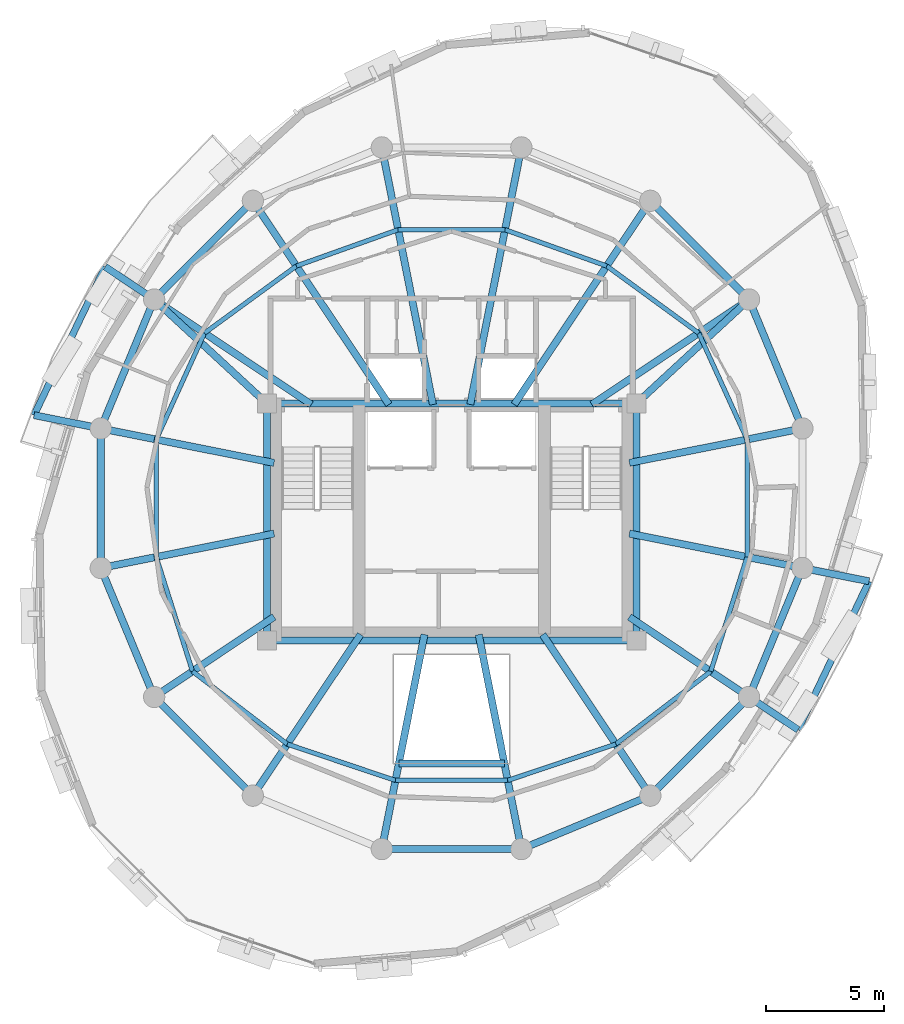
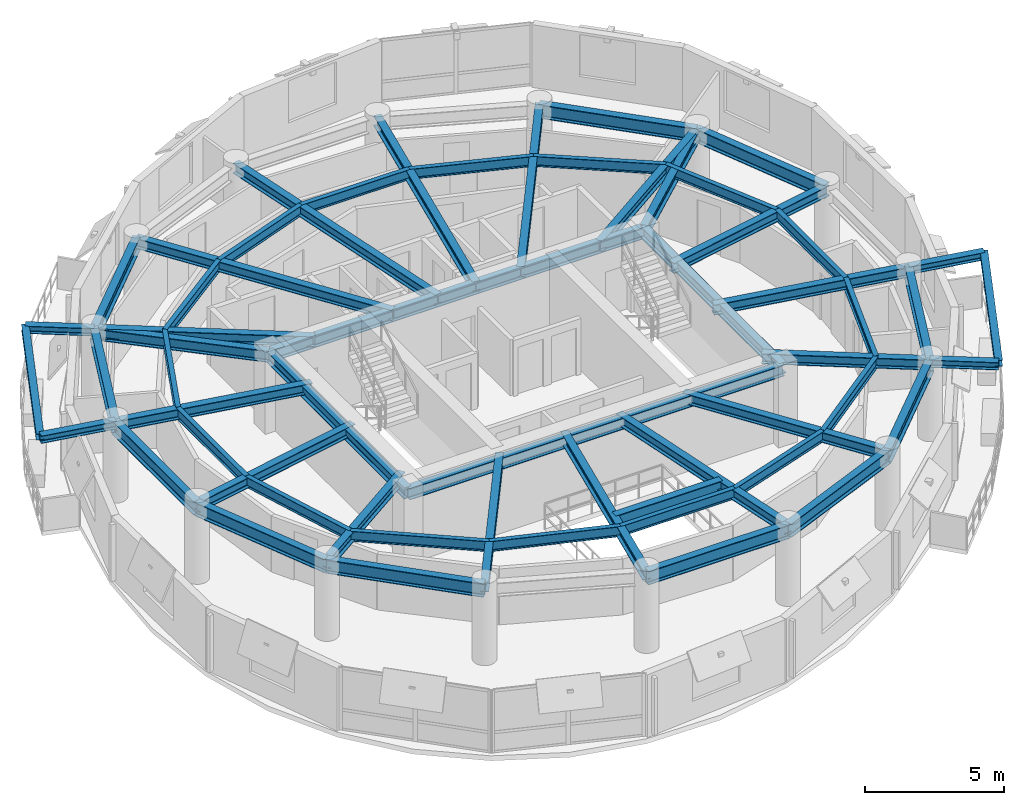
# One storey, part 3 of 11: 56 beams.
"""IFC4 building model written with IfcOpenShell, lengths in metres."""

from ifc_helpers import new_model, si_unit, direction, frame, origin, origin_2d, place, context, subcontext, project, spatial, i_section, extrude, material, material_profile, profile_set, type_object, element, save


model = new_model("IFC4")

# Units and contexts
model_context = context("Model", 3, precision=1e-05, world=origin(), true_north=direction((0.0, 1.0)))
body_context = subcontext(model_context, "Body", "Model", "MODEL_VIEW")
ifc_project = project(units=[si_unit("LENGTHUNIT", "METRE"), si_unit("AREAUNIT", "SQUARE_METRE"), si_unit("VOLUMEUNIT", "CUBIC_METRE"), si_unit("PLANEANGLEUNIT", "RADIAN"), si_unit("MASSUNIT", "GRAM", prefix="KILO"), si_unit("THERMODYNAMICTEMPERATUREUNIT", "KELVIN"), si_unit("POWERUNIT", "WATT")], contexts=[model_context])

# Site, building, storey
site_placement = place(None, origin())
site = spatial("IfcSite", under=ifc_project, at=site_placement, CompositionType="ELEMENT")
building_placement = place(site_placement, origin())
building = spatial("IfcBuilding", under=site, at=building_placement, Name="Ocrelia Relay Tower", CompositionType="ELEMENT")
storey_placement = place(building_placement, frame((0.0, 0.0, 270.0)))
storey = spatial("IfcBuildingStorey", under=building, at=storey_placement, Name="L67", CompositionType="ELEMENT", Elevation=270.0)

# Beams
ifc_material = material(Name="Steel S355", Category="steel")
ifc_material_profile_1 = material_profile(ifc_material, i_section(OverallWidth=0.280029296875, OverallDepth=0.27001953125, WebThickness=0.008056640625, FlangeThickness=0.012939453125, FilletRadius=0.02392578125, at=origin_2d()), Name="HEA 280")
ifc_profile_set_1 = profile_set([ifc_material_profile_1], Name="Steel S355")
beam_type_1 = type_object("IfcBeamType", Name="BM-HEA280", PredefinedType="BEAM", material=ifc_profile_set_1)
for number, where, z_axis, x_axis, name in (
    (1, (19.376708984375, 35.77099609375, 3.2451171875), (-0.432080881598, -0.901834858362, 0.0), (0.901834858362, -0.432080881598, 0.0), "L68 Balcony Edge Trimmer Beam B1"),
    (2, (48.623291015625, 16.22900390625, 3.2451171875), (0.432052299083, 0.901848552063, 0.0), (-0.901848552063, 0.432052299083, 0.0), "L68 Balcony Edge Trimmer Beam B2"),
):
    element("IfcBeam", number, at=place(storey_placement, frame(where, z_axis=z_axis, x_axis=x_axis)), inside=storey, type_object=beam_type_1, Name=name, PredefinedType="BEAM", context=body_context, shape_type="SweptSolid", body=[
        extrude(i_section(OverallWidth=0.280029296875, OverallDepth=0.27001953125, WebThickness=0.008056640625, FlangeThickness=0.012939453125, FilletRadius=0.02392578125, at=origin_2d()), origin(), (0.0, 0.0, 1.0), 6.947021484375),
    ])
ifc_material_profile_2 = material_profile(ifc_material, i_section(OverallWidth=0.300048828125, OverallDepth=0.330078125, WebThickness=0.009521484375, FlangeThickness=0.0166015625, FilletRadius=0.027099609375, at=origin_2d()), Name="HEA 340")
ifc_profile_set_2 = profile_set([ifc_material_profile_2], Name="Steel S355")
beam_type_2 = type_object("IfcBeamType", Name="BM-HEA340", PredefinedType="BEAM", material=ifc_profile_set_2)
beam_1_placement = place(storey_placement, frame((21.44482421875, 34.38916015625, 3.215087890625), z_axis=(-0.83147601643, 0.555560648447, 0.0), x_axis=(-0.555560648447, -0.83147601643, 0.0)))
element("IfcBeam", 3, at=beam_1_placement, inside=storey, type_object=beam_type_2, Name="L68 Balcony Cantilever Beam B1-1", PredefinedType="BEAM", context=body_context, shape_type="SweptSolid", body=[
    extrude(i_section(OverallWidth=0.300048828125, OverallDepth=0.330078125, WebThickness=0.009521484375, FlangeThickness=0.0166015625, FilletRadius=0.027099609375, at=origin_2d()), origin(), (0.0, 0.0, 1.0), 2.4873046875),
])
beam_2_placement = place(storey_placement, frame((19.190185546875, 28.94580078125, 3.215087890625), z_axis=(-0.980779722314, 0.195118262335, 0.0), x_axis=(-0.195118262335, -0.980779722314, 0.0)))
element("IfcBeam", 4, at=beam_2_placement, inside=storey, type_object=beam_type_2, Name="L68 Balcony Cantilever Beam B1-2", PredefinedType="BEAM", context=body_context, shape_type="SweptSolid", body=[
    extrude(i_section(OverallWidth=0.300048828125, OverallDepth=0.330078125, WebThickness=0.009521484375, FlangeThickness=0.0166015625, FilletRadius=0.027099609375, at=origin_2d()), origin(), (0.0, 0.0, 1.0), 2.870361328125),
])
beam_3_placement = place(storey_placement, frame((46.55517578125, 17.61083984375, 3.215087890625), z_axis=(0.83147601643, -0.555560648447, 0.0), x_axis=(0.555560648447, 0.83147601643, 0.0)))
element("IfcBeam", 5, at=beam_3_placement, inside=storey, type_object=beam_type_2, Name="L68 Balcony Cantilever Beam B2-1", PredefinedType="BEAM", context=body_context, shape_type="SweptSolid", body=[
    extrude(i_section(OverallWidth=0.300048828125, OverallDepth=0.330078125, WebThickness=0.009521484375, FlangeThickness=0.0166015625, FilletRadius=0.027099609375, at=origin_2d()), origin(), (0.0, 0.0, 1.0), 2.4873046875),
])
beam_4_placement = place(storey_placement, frame((48.809814453125, 23.05419921875, 3.215087890625), z_axis=(0.980776483734, -0.195134540649, 0.0), x_axis=(0.195134540649, 0.980776483734, 0.0)))
element("IfcBeam", 6, at=beam_4_placement, inside=storey, type_object=beam_type_2, Name="L68 Balcony Cantilever Beam B2-2", PredefinedType="BEAM", context=body_context, shape_type="SweptSolid", body=[
    extrude(i_section(OverallWidth=0.300048828125, OverallDepth=0.330078125, WebThickness=0.009521484375, FlangeThickness=0.0166015625, FilletRadius=0.027099609375, at=origin_2d()), origin(), (0.0, 0.0, 1.0), 2.8701171875),
])
ifc_material_profile_3 = material_profile(ifc_material, i_section(OverallWidth=0.300048828125, OverallDepth=0.449951171875, WebThickness=0.013916015625, FlangeThickness=0.02587890625, FilletRadius=0.027099609375, at=origin_2d()), Name="HEB 450")
ifc_profile_set_3 = profile_set([ifc_material_profile_3], Name="Steel S355")
beam_type_3 = type_object("IfcBeamType", Name="BM-HEB450", PredefinedType="BEAM", material=ifc_profile_set_3)
beam_5_placement = place(storey_placement, frame((48.809814453125, 28.94580078125, 3.155029296875), z_axis=(-0.980789400571, -0.195069607393, 0.0), x_axis=(0.195069607393, -0.980789400571, 0.0)))
element("IfcBeam", 7, at=beam_5_placement, inside=storey, type_object=beam_type_3, Name="L67 Radial Floor Girder R01", PredefinedType="BEAM", context=body_context, shape_type="SweptSolid", body=[
    extrude(i_section(OverallWidth=0.300048828125, OverallDepth=0.449951171875, WebThickness=0.013916015625, FlangeThickness=0.02587890625, FilletRadius=0.027099609375, at=origin_2d()), origin(), (0.0, 0.0, 1.0), 7.447998046875),
])
beam_6_placement = place(storey_placement, frame((46.55517578125, 34.38916015625, 3.155029296875), z_axis=(-0.83146627118, -0.555575233331, 0.0), x_axis=(0.555575233331, -0.83146627118, 0.0)))
element("IfcBeam", 8, at=beam_6_placement, inside=storey, type_object=beam_type_3, Name="L67 Radial Floor Girder R02", PredefinedType="BEAM", context=body_context, shape_type="SweptSolid", body=[
    extrude(i_section(OverallWidth=0.300048828125, OverallDepth=0.449951171875, WebThickness=0.013916015625, FlangeThickness=0.02587890625, FilletRadius=0.027099609375, at=origin_2d()), origin(), (0.0, 0.0, 1.0), 7.98095703125),
])
beam_7_placement = place(storey_placement, frame((42.38916015625, 38.55517578125, 3.155029296875), z_axis=(-0.555582296999, -0.831461551283, 0.0), x_axis=(0.831461551283, -0.555582296999, 0.0)))
element("IfcBeam", 9, at=beam_7_placement, inside=storey, type_object=beam_type_3, Name="L67 Radial Floor Girder R03", PredefinedType="BEAM", context=body_context, shape_type="SweptSolid", body=[
    extrude(i_section(OverallWidth=0.300048828125, OverallDepth=0.449951171875, WebThickness=0.013916015625, FlangeThickness=0.02587890625, FilletRadius=0.027099609375, at=origin_2d()), origin(), (0.0, 0.0, 1.0), 10.34326171875),
])
for number, where, z_axis, x_axis, name in (
    (10, (36.94580078125, 40.809814453125, 3.155029296875), (-0.195093658495, -0.98078461673, 0.0), (0.98078461673, -0.195093658495, 0.0), "L67 Radial Floor Girder R04"),
    (11, (31.05419921875, 40.809814453125, 3.155029296875), (0.195093658495, -0.98078461673, 0.0), (0.98078461673, 0.195093658495, 0.0), "L67 Radial Floor Girder R05"),
):
    element("IfcBeam", number, at=place(storey_placement, frame(where, z_axis=z_axis, x_axis=x_axis)), inside=storey, type_object=beam_type_3, Name=name, PredefinedType="BEAM", context=body_context, shape_type="SweptSolid", body=[
        extrude(i_section(OverallWidth=0.300048828125, OverallDepth=0.449951171875, WebThickness=0.013916015625, FlangeThickness=0.02587890625, FilletRadius=0.027099609375, at=origin_2d()), origin(), (0.0, 0.0, 1.0), 11.0673828125),
    ])
beam_8_placement = place(storey_placement, frame((25.61083984375, 38.55517578125, 3.155029296875), z_axis=(0.555582296999, -0.831461551283, 0.0), x_axis=(0.831461551283, 0.555582296999, 0.0)))
element("IfcBeam", 12, at=beam_8_placement, inside=storey, type_object=beam_type_3, Name="L67 Radial Floor Girder R06", PredefinedType="BEAM", context=body_context, shape_type="SweptSolid", body=[
    extrude(i_section(OverallWidth=0.300048828125, OverallDepth=0.449951171875, WebThickness=0.013916015625, FlangeThickness=0.02587890625, FilletRadius=0.027099609375, at=origin_2d()), origin(), (0.0, 0.0, 1.0), 10.34326171875),
])
beam_9_placement = place(storey_placement, frame((21.44482421875, 34.38916015625, 3.155029296875), z_axis=(0.83146627118, -0.555575233331, 0.0), x_axis=(0.555575233331, 0.83146627118, 0.0)))
element("IfcBeam", 13, at=beam_9_placement, inside=storey, type_object=beam_type_3, Name="L67 Radial Floor Girder R07", PredefinedType="BEAM", context=body_context, shape_type="SweptSolid", body=[
    extrude(i_section(OverallWidth=0.300048828125, OverallDepth=0.449951171875, WebThickness=0.013916015625, FlangeThickness=0.02587890625, FilletRadius=0.027099609375, at=origin_2d()), origin(), (0.0, 0.0, 1.0), 7.98095703125),
])
for number, where, z_axis, x_axis, name in (
    (14, (19.190185546875, 28.94580078125, 3.155029296875), (0.980789122594, -0.195071005024, 0.0), (0.195071005024, 0.980789122594, 0.0), "L67 Radial Floor Girder R08"),
    (15, (19.190185546875, 23.05419921875, 3.155029296875), (0.980789122594, 0.195071005024, 0.0), (-0.195071005024, 0.980789122594, 0.0), "L67 Radial Floor Girder R09"),
):
    element("IfcBeam", number, at=place(storey_placement, frame(where, z_axis=z_axis, x_axis=x_axis)), inside=storey, type_object=beam_type_3, Name=name, PredefinedType="BEAM", context=body_context, shape_type="SweptSolid", body=[
        extrude(i_section(OverallWidth=0.300048828125, OverallDepth=0.449951171875, WebThickness=0.013916015625, FlangeThickness=0.02587890625, FilletRadius=0.027099609375, at=origin_2d()), origin(), (0.0, 0.0, 1.0), 7.4580078125),
    ])
beam_10_placement = place(storey_placement, frame((21.44482421875, 17.61083984375, 3.155029296875), z_axis=(0.831463505153, 0.555579372906, 0.0), x_axis=(-0.555579372906, 0.831463505153, 0.0)))
element("IfcBeam", 16, at=beam_10_placement, inside=storey, type_object=beam_type_3, Name="L67 Radial Floor Girder R10", PredefinedType="BEAM", context=body_context, shape_type="SweptSolid", body=[
    extrude(i_section(OverallWidth=0.300048828125, OverallDepth=0.449951171875, WebThickness=0.013916015625, FlangeThickness=0.02587890625, FilletRadius=0.027099609375, at=origin_2d()), origin(), (0.0, 0.0, 1.0), 6.085693359375),
])
beam_11_placement = place(storey_placement, frame((25.61083984375, 13.44482421875, 3.155029296875), z_axis=(0.555560991962, 0.831475786906, 0.0), x_axis=(-0.831475786906, 0.555560991962, 0.0)))
element("IfcBeam", 17, at=beam_11_placement, inside=storey, type_object=beam_type_3, Name="L67 Radial Floor Girder R11", PredefinedType="BEAM", context=body_context, shape_type="SweptSolid", body=[
    extrude(i_section(OverallWidth=0.300048828125, OverallDepth=0.449951171875, WebThickness=0.013916015625, FlangeThickness=0.02587890625, FilletRadius=0.027099609375, at=origin_2d()), origin(), (0.0, 0.0, 1.0), 8.178466796875),
])
for number, where, z_axis, x_axis, name in (
    (18, (31.05419921875, 11.190185546875, 3.155029296875), (0.195078600472, 0.98078761189, 0.0), (-0.98078761189, 0.195078600472, 0.0), "L67 Radial Floor Girder R12"),
    (19, (36.94580078125, 11.190185546875, 3.155029296875), (-0.195078600472, 0.98078761189, 0.0), (-0.98078761189, -0.195078600472, 0.0), "L67 Radial Floor Girder R13"),
):
    element("IfcBeam", number, at=place(storey_placement, frame(where, z_axis=z_axis, x_axis=x_axis)), inside=storey, type_object=beam_type_3, Name=name, PredefinedType="BEAM", context=body_context, shape_type="SweptSolid", body=[
        extrude(i_section(OverallWidth=0.300048828125, OverallDepth=0.449951171875, WebThickness=0.013916015625, FlangeThickness=0.02587890625, FilletRadius=0.027099609375, at=origin_2d()), origin(), (0.0, 0.0, 1.0), 9.232421875),
    ])
beam_12_placement = place(storey_placement, frame((42.38916015625, 13.44482421875, 3.155029296875), z_axis=(-0.555560991962, 0.831475786906, 0.0), x_axis=(-0.831475786906, -0.555560991962, 0.0)))
element("IfcBeam", 20, at=beam_12_placement, inside=storey, type_object=beam_type_3, Name="L67 Radial Floor Girder R14", PredefinedType="BEAM", context=body_context, shape_type="SweptSolid", body=[
    extrude(i_section(OverallWidth=0.300048828125, OverallDepth=0.449951171875, WebThickness=0.013916015625, FlangeThickness=0.02587890625, FilletRadius=0.027099609375, at=origin_2d()), origin(), (0.0, 0.0, 1.0), 8.178466796875),
])
beam_13_placement = place(storey_placement, frame((46.55517578125, 17.61083984375, 3.155029296875), z_axis=(-0.831468559595, 0.555571808504, 0.0), x_axis=(-0.555571808504, -0.831468559595, 0.0)))
element("IfcBeam", 21, at=beam_13_placement, inside=storey, type_object=beam_type_3, Name="L67 Radial Floor Girder R15", PredefinedType="BEAM", context=body_context, shape_type="SweptSolid", body=[
    extrude(i_section(OverallWidth=0.300048828125, OverallDepth=0.449951171875, WebThickness=0.013916015625, FlangeThickness=0.02587890625, FilletRadius=0.027099609375, at=origin_2d()), origin(), (0.0, 0.0, 1.0), 6.073974609375),
])
beam_14_placement = place(storey_placement, frame((48.809814453125, 23.05419921875, 3.155029296875), z_axis=(-0.980789400571, 0.195069607393, 0.0), x_axis=(-0.195069607393, -0.980789400571, 0.0)))
element("IfcBeam", 22, at=beam_14_placement, inside=storey, type_object=beam_type_3, Name="L67 Radial Floor Girder R16", PredefinedType="BEAM", context=body_context, shape_type="SweptSolid", body=[
    extrude(i_section(OverallWidth=0.300048828125, OverallDepth=0.449951171875, WebThickness=0.013916015625, FlangeThickness=0.02587890625, FilletRadius=0.027099609375, at=origin_2d()), origin(), (0.0, 0.0, 1.0), 7.447998046875),
])
ifc_material_profile_4 = material_profile(ifc_material, i_section(OverallWidth=0.300048828125, OverallDepth=0.5, WebThickness=0.014404296875, FlangeThickness=0.028076171875, FilletRadius=0.027099609375, at=origin_2d()), Name="HEB 500")
ifc_profile_set_4 = profile_set([ifc_material_profile_4], Name="Steel S355")
beam_type_4 = type_object("IfcBeamType", Name="BM-HEB500", PredefinedType="BEAM", material=ifc_profile_set_4)
for number, where, z_axis, x_axis, name in (
    (23, (26.199951171875, 20.0, 3.1298828125), (1.0, 0.0, 0.0), (0.0, 1.0, 0.0), "L67 Core Pilaster Tie Beam S"),
    (24, (26.199951171875, 30.0, 3.1298828125), (1.0, 0.0, 0.0), (0.0, 1.0, 0.0), "L67 Core Pilaster Tie Beam N"),
):
    element("IfcBeam", number, at=place(storey_placement, frame(where, z_axis=z_axis, x_axis=x_axis)), inside=storey, type_object=beam_type_4, Name=name, PredefinedType="BEAM", context=body_context, shape_type="SweptSolid", body=[
        extrude(i_section(OverallWidth=0.300048828125, OverallDepth=0.5, WebThickness=0.014404296875, FlangeThickness=0.028076171875, FilletRadius=0.027099609375, at=origin_2d()), origin(), (0.0, 0.0, 1.0), 15.60009765625),
    ])
for number, where, z_axis, x_axis, name in (
    (25, (26.199951171875, 20.0, 3.1298828125), (0.0, 1.0, 0.0), (-1.0, 0.0, 0.0), "L67 Core Pilaster Tie Beam W"),
    (26, (41.800048828125, 20.0, 3.1298828125), (0.0, 1.0, 0.0), (-1.0, 0.0, 0.0), "L67 Core Pilaster Tie Beam E"),
):
    element("IfcBeam", number, at=place(storey_placement, frame(where, z_axis=z_axis, x_axis=x_axis)), inside=storey, type_object=beam_type_4, Name=name, PredefinedType="BEAM", context=body_context, shape_type="SweptSolid", body=[
        extrude(i_section(OverallWidth=0.300048828125, OverallDepth=0.5, WebThickness=0.014404296875, FlangeThickness=0.028076171875, FilletRadius=0.027099609375, at=origin_2d()), origin(), (0.0, 0.0, 1.0), 10.0),
    ])
for number, where, z_axis, x_axis, name in (
    (27, (46.55517578125, 34.38916015625, 3.1298828125), (-0.734817908666, -0.678264433023, 0.0), (0.678264433023, -0.734817908666, 0.0), "L67 Core Pilaster Frame Tie Beam PT02"),
    (28, (21.44482421875, 34.38916015625, 3.1298828125), (0.734817908666, -0.678264433023, 0.0), (0.678264433023, 0.734817908666, 0.0), "L67 Core Pilaster Frame Tie Beam PT07"),
):
    element("IfcBeam", number, at=place(storey_placement, frame(where, z_axis=z_axis, x_axis=x_axis)), inside=storey, type_object=beam_type_4, Name=name, PredefinedType="BEAM", context=body_context, shape_type="SweptSolid", body=[
        extrude(i_section(OverallWidth=0.300048828125, OverallDepth=0.5, WebThickness=0.014404296875, FlangeThickness=0.028076171875, FilletRadius=0.027099609375, at=origin_2d()), origin(), (0.0, 0.0, 1.0), 6.47119140625),
    ])
ifc_material_profile_5 = material_profile(ifc_material, i_section(OverallWidth=0.300048828125, OverallDepth=0.550048828125, WebThickness=0.014892578125, FlangeThickness=0.029052734375, FilletRadius=0.027099609375, at=origin_2d()), Name="HEB 550")
ifc_profile_set_5 = profile_set([ifc_material_profile_5], Name="Steel S355")
beam_type_5 = type_object("IfcBeamType", Name="BM-HEB550", PredefinedType="BEAM", material=ifc_profile_set_5)
beam_15_placement = place(storey_placement, frame((31.772216796875, 14.800048828125, 3.10498046875), z_axis=(1.0, 0.0, 0.0), x_axis=(0.0, 1.0, 0.0)))
element("IfcBeam", 29, at=beam_15_placement, inside=storey, type_object=beam_type_5, Name="L67 Atrium South Trimmer Beam", PredefinedType="BEAM", context=body_context, shape_type="SweptSolid", body=[
    extrude(i_section(OverallWidth=0.300048828125, OverallDepth=0.550048828125, WebThickness=0.014892578125, FlangeThickness=0.029052734375, FilletRadius=0.027099609375, at=origin_2d()), origin(), (0.0, 0.0, 1.0), 4.45556640625),
])
ifc_material_profile_6 = material_profile(ifc_material, i_section(OverallWidth=0.300048828125, OverallDepth=0.60009765625, WebThickness=0.015380859375, FlangeThickness=0.030029296875, FilletRadius=0.027099609375, at=origin_2d()), Name="HEB 600")
ifc_profile_set_6 = profile_set([ifc_material_profile_6], Name="Steel S355")
beam_type_6 = type_object("IfcBeamType", Name="BM-HEB600", PredefinedType="BEAM", material=ifc_profile_set_6)
beam_16_placement = place(storey_placement, frame((48.809814453125, 28.94580078125, 3.080078125), z_axis=(-0.382672624084, 0.923884009374, 0.0), x_axis=(-0.923884009374, -0.382672624084, 0.0)))
element("IfcBeam", 30, at=beam_16_placement, inside=storey, type_object=beam_type_6, Name="L67 Perimeter Spandrel Beam S01", PredefinedType="BEAM", context=body_context, shape_type="SweptSolid", body=[
    extrude(i_section(OverallWidth=0.300048828125, OverallDepth=0.60009765625, WebThickness=0.015380859375, FlangeThickness=0.030029296875, FilletRadius=0.027099609375, at=origin_2d()), origin(), (0.0, 0.0, 1.0), 5.891845703125),
])
for number, where, z_axis, x_axis, name in (
    (31, (46.55517578125, 34.38916015625, 3.080078125), (-0.707106781187, 0.707106781187, 0.0), (-0.707106781187, -0.707106781187, 0.0), "L67 Perimeter Spandrel Beam S02"),
    (32, (25.61083984375, 38.55517578125, 3.080078125), (-0.707106781187, -0.707106781187, 0.0), (0.707106781187, -0.707106781187, 0.0), "L67 Perimeter Spandrel Beam S06"),
):
    element("IfcBeam", number, at=place(storey_placement, frame(where, z_axis=z_axis, x_axis=x_axis)), inside=storey, type_object=beam_type_6, Name=name, PredefinedType="BEAM", context=body_context, shape_type="SweptSolid", body=[
        extrude(i_section(OverallWidth=0.300048828125, OverallDepth=0.60009765625, WebThickness=0.015380859375, FlangeThickness=0.030029296875, FilletRadius=0.027099609375, at=origin_2d()), origin(), (0.0, 0.0, 1.0), 5.8916015625),
    ])
beam_17_placement = place(storey_placement, frame((21.44482421875, 34.38916015625, 3.080078125), z_axis=(-0.382672624084, -0.923884009374, 0.0), x_axis=(0.923884009374, -0.382672624084, 0.0)))
element("IfcBeam", 33, at=beam_17_placement, inside=storey, type_object=beam_type_6, Name="L67 Perimeter Spandrel Beam S07", PredefinedType="BEAM", context=body_context, shape_type="SweptSolid", body=[
    extrude(i_section(OverallWidth=0.300048828125, OverallDepth=0.60009765625, WebThickness=0.015380859375, FlangeThickness=0.030029296875, FilletRadius=0.027099609375, at=origin_2d()), origin(), (0.0, 0.0, 1.0), 5.891845703125),
])
beam_18_placement = place(storey_placement, frame((19.190185546875, 28.94580078125, 3.080078125), z_axis=(0.0, -1.0, 0.0), x_axis=(1.0, 0.0, 0.0)))
element("IfcBeam", 34, at=beam_18_placement, inside=storey, type_object=beam_type_6, Name="L67 Perimeter Spandrel Beam S08", PredefinedType="BEAM", context=body_context, shape_type="SweptSolid", body=[
    extrude(i_section(OverallWidth=0.300048828125, OverallDepth=0.60009765625, WebThickness=0.015380859375, FlangeThickness=0.030029296875, FilletRadius=0.027099609375, at=origin_2d()), origin(), (0.0, 0.0, 1.0), 5.8916015625),
])
beam_19_placement = place(storey_placement, frame((19.190185546875, 23.05419921875, 3.080078125), z_axis=(0.382672624084, -0.923884009374, 0.0), x_axis=(0.923884009374, 0.382672624084, 0.0)))
element("IfcBeam", 35, at=beam_19_placement, inside=storey, type_object=beam_type_6, Name="L67 Perimeter Spandrel Beam S09", PredefinedType="BEAM", context=body_context, shape_type="SweptSolid", body=[
    extrude(i_section(OverallWidth=0.300048828125, OverallDepth=0.60009765625, WebThickness=0.015380859375, FlangeThickness=0.030029296875, FilletRadius=0.027099609375, at=origin_2d()), origin(), (0.0, 0.0, 1.0), 5.891845703125),
])
for number, where, z_axis, x_axis, name in (
    (36, (21.44482421875, 17.61083984375, 3.080078125), (0.707106781187, -0.707106781187, 0.0), (0.707106781187, 0.707106781187, 0.0), "L67 Perimeter Spandrel Beam S10"),
    (37, (31.05419921875, 11.190185546875, 3.080078125), (1.0, 0.0, 0.0), (0.0, 1.0, 0.0), "L67 Perimeter Spandrel Beam S12"),
):
    element("IfcBeam", number, at=place(storey_placement, frame(where, z_axis=z_axis, x_axis=x_axis)), inside=storey, type_object=beam_type_6, Name=name, PredefinedType="BEAM", context=body_context, shape_type="SweptSolid", body=[
        extrude(i_section(OverallWidth=0.300048828125, OverallDepth=0.60009765625, WebThickness=0.015380859375, FlangeThickness=0.030029296875, FilletRadius=0.027099609375, at=origin_2d()), origin(), (0.0, 0.0, 1.0), 5.8916015625),
    ])
beam_20_placement = place(storey_placement, frame((36.94580078125, 11.190185546875, 3.080078125), z_axis=(0.923884009374, 0.382672624084, 0.0), x_axis=(-0.382672624084, 0.923884009374, 0.0)))
element("IfcBeam", 38, at=beam_20_placement, inside=storey, type_object=beam_type_6, Name="L67 Perimeter Spandrel Beam S13", PredefinedType="BEAM", context=body_context, shape_type="SweptSolid", body=[
    extrude(i_section(OverallWidth=0.300048828125, OverallDepth=0.60009765625, WebThickness=0.015380859375, FlangeThickness=0.030029296875, FilletRadius=0.027099609375, at=origin_2d()), origin(), (0.0, 0.0, 1.0), 5.891845703125),
])
beam_21_placement = place(storey_placement, frame((42.38916015625, 13.44482421875, 3.080078125), z_axis=(0.707106781187, 0.707106781187, 0.0), x_axis=(-0.707106781187, 0.707106781187, 0.0)))
element("IfcBeam", 39, at=beam_21_placement, inside=storey, type_object=beam_type_6, Name="L67 Perimeter Spandrel Beam S14", PredefinedType="BEAM", context=body_context, shape_type="SweptSolid", body=[
    extrude(i_section(OverallWidth=0.300048828125, OverallDepth=0.60009765625, WebThickness=0.015380859375, FlangeThickness=0.030029296875, FilletRadius=0.027099609375, at=origin_2d()), origin(), (0.0, 0.0, 1.0), 5.8916015625),
])
beam_22_placement = place(storey_placement, frame((46.55517578125, 17.61083984375, 3.080078125), z_axis=(0.382672624084, 0.923884009374, 0.0), x_axis=(-0.923884009374, 0.382672624084, 0.0)))
element("IfcBeam", 40, at=beam_22_placement, inside=storey, type_object=beam_type_6, Name="L67 Perimeter Spandrel Beam S15", PredefinedType="BEAM", context=body_context, shape_type="SweptSolid", body=[
    extrude(i_section(OverallWidth=0.300048828125, OverallDepth=0.60009765625, WebThickness=0.015380859375, FlangeThickness=0.030029296875, FilletRadius=0.027099609375, at=origin_2d()), origin(), (0.0, 0.0, 1.0), 5.891845703125),
])
ifc_material_profile_7 = material_profile(ifc_material, i_section(OverallWidth=0.18994140625, OverallDepth=0.449951171875, WebThickness=0.009521484375, FlangeThickness=0.0146484375, FilletRadius=0.02099609375, at=origin_2d()), Name="IPE 450")
ifc_profile_set_7 = profile_set([ifc_material_profile_7], Name="Steel S355")
beam_type_7 = type_object("IfcBeamType", Name="BM-IPE450", PredefinedType="JOIST", material=ifc_profile_set_7)
beam_23_placement = place(storey_placement, frame((46.472412109375, 28.48095703125, 3.155029296875), z_axis=(-0.413836514443, 0.91035121756, 0.0), x_axis=(-0.91035121756, -0.413836514443, 0.0)))
element("IfcBeam", 41, at=beam_23_placement, inside=storey, type_object=beam_type_7, Name="L67 Secondary Floor Joist J01", PredefinedType="JOIST", context=body_context, shape_type="SweptSolid", body=[
    extrude(i_section(OverallWidth=0.18994140625, OverallDepth=0.449951171875, WebThickness=0.009521484375, FlangeThickness=0.0146484375, FilletRadius=0.02099609375, at=origin_2d()), origin(), (0.0, 0.0, 1.0), 4.931396484375),
])
beam_24_placement = place(storey_placement, frame((44.431640625, 32.97021484375, 3.155029296875), z_axis=(-0.80774844416, 0.58952731146, 0.0), x_axis=(-0.58952731146, -0.80774844416, 0.0)))
element("IfcBeam", 42, at=beam_24_placement, inside=storey, type_object=beam_type_7, Name="L67 Secondary Floor Joist J02", PredefinedType="JOIST", context=body_context, shape_type="SweptSolid", body=[
    extrude(i_section(OverallWidth=0.18994140625, OverallDepth=0.449951171875, WebThickness=0.009521484375, FlangeThickness=0.0146484375, FilletRadius=0.02099609375, at=origin_2d()), origin(), (0.0, 0.0, 1.0), 4.80517578125),
])
beam_25_placement = place(storey_placement, frame((40.55029296875, 35.802978515625, 3.155029296875), z_axis=(-0.94180245035, 0.336166840298, 0.0), x_axis=(-0.336166840298, -0.94180245035, 0.0)))
element("IfcBeam", 43, at=beam_25_placement, inside=storey, type_object=beam_type_7, Name="L67 Secondary Floor Joist J03", PredefinedType="JOIST", context=body_context, shape_type="SweptSolid", body=[
    extrude(i_section(OverallWidth=0.18994140625, OverallDepth=0.449951171875, WebThickness=0.009521484375, FlangeThickness=0.0146484375, FilletRadius=0.02099609375, at=origin_2d()), origin(), (0.0, 0.0, 1.0), 4.560791015625),
])
beam_26_placement = place(storey_placement, frame((36.2548828125, 37.336181640625, 3.155029296875), z_axis=(-1.0, 0.0, 0.0), x_axis=(0.0, -1.0, 0.0)))
element("IfcBeam", 44, at=beam_26_placement, inside=storey, type_object=beam_type_7, Name="L67 Secondary Floor Joist J04", PredefinedType="JOIST", context=body_context, shape_type="SweptSolid", body=[
    extrude(i_section(OverallWidth=0.18994140625, OverallDepth=0.449951171875, WebThickness=0.009521484375, FlangeThickness=0.0146484375, FilletRadius=0.02099609375, at=origin_2d()), origin(), (0.0, 0.0, 1.0), 4.509765625),
])
beam_27_placement = place(storey_placement, frame((31.7451171875, 37.336181640625, 3.155029296875), z_axis=(-0.94180245035, -0.336166840298, 0.0), x_axis=(0.336166840298, -0.94180245035, 0.0)))
element("IfcBeam", 45, at=beam_27_placement, inside=storey, type_object=beam_type_7, Name="L67 Secondary Floor Joist J05", PredefinedType="JOIST", context=body_context, shape_type="SweptSolid", body=[
    extrude(i_section(OverallWidth=0.18994140625, OverallDepth=0.449951171875, WebThickness=0.009521484375, FlangeThickness=0.0146484375, FilletRadius=0.02099609375, at=origin_2d()), origin(), (0.0, 0.0, 1.0), 4.560791015625),
])
beam_28_placement = place(storey_placement, frame((27.44970703125, 35.802978515625, 3.155029296875), z_axis=(-0.80774844416, -0.58952731146, 0.0), x_axis=(0.58952731146, -0.80774844416, 0.0)))
element("IfcBeam", 46, at=beam_28_placement, inside=storey, type_object=beam_type_7, Name="L67 Secondary Floor Joist J06", PredefinedType="JOIST", context=body_context, shape_type="SweptSolid", body=[
    extrude(i_section(OverallWidth=0.18994140625, OverallDepth=0.449951171875, WebThickness=0.009521484375, FlangeThickness=0.0146484375, FilletRadius=0.02099609375, at=origin_2d()), origin(), (0.0, 0.0, 1.0), 4.80517578125),
])
beam_29_placement = place(storey_placement, frame((23.568359375, 32.97021484375, 3.155029296875), z_axis=(-0.413205957462, -0.910637599003, 0.0), x_axis=(0.910637599003, -0.413205957462, 0.0)))
element("IfcBeam", 47, at=beam_29_placement, inside=storey, type_object=beam_type_7, Name="L67 Secondary Floor Joist J07", PredefinedType="JOIST", context=body_context, shape_type="SweptSolid", body=[
    extrude(i_section(OverallWidth=0.18994140625, OverallDepth=0.449951171875, WebThickness=0.009521484375, FlangeThickness=0.0146484375, FilletRadius=0.02099609375, at=origin_2d()), origin(), (0.0, 0.0, 1.0), 4.9306640625),
])
beam_30_placement = place(storey_placement, frame((21.531005859375, 28.480224609375, 3.155029296875), z_axis=(0.0, -1.0, 0.0), x_axis=(1.0, 0.0, 0.0)))
element("IfcBeam", 48, at=beam_30_placement, inside=storey, type_object=beam_type_7, Name="L67 Secondary Floor Joist J08", PredefinedType="JOIST", context=body_context, shape_type="SweptSolid", body=[
    extrude(i_section(OverallWidth=0.18994140625, OverallDepth=0.449951171875, WebThickness=0.009521484375, FlangeThickness=0.0146484375, FilletRadius=0.02099609375, at=origin_2d()), origin(), (0.0, 0.0, 1.0), 4.96044921875),
])
beam_31_placement = place(storey_placement, frame((21.531005859375, 23.519775390625, 3.155029296875), z_axis=(0.302732054046, -0.953075707094, 0.0), x_axis=(0.953075707094, 0.302732054046, 0.0)))
element("IfcBeam", 49, at=beam_31_placement, inside=storey, type_object=beam_type_7, Name="L67 Secondary Floor Joist J09", PredefinedType="JOIST", context=body_context, shape_type="SweptSolid", body=[
    extrude(i_section(OverallWidth=0.18994140625, OverallDepth=0.449951171875, WebThickness=0.009521484375, FlangeThickness=0.0146484375, FilletRadius=0.02099609375, at=origin_2d()), origin(), (0.0, 0.0, 1.0), 5.064453125),
])
beam_32_placement = place(storey_placement, frame((23.064208984375, 18.69287109375, 3.155029296875), z_axis=(0.793147291367, -0.60902986314, 0.0), x_axis=(0.60902986314, 0.793147291367, 0.0)))
element("IfcBeam", 50, at=beam_32_placement, inside=storey, type_object=beam_type_7, Name="L67 Secondary Floor Joist J10", PredefinedType="JOIST", context=body_context, shape_type="SweptSolid", body=[
    extrude(i_section(OverallWidth=0.18994140625, OverallDepth=0.449951171875, WebThickness=0.009521484375, FlangeThickness=0.0146484375, FilletRadius=0.02099609375, at=origin_2d()), origin(), (0.0, 0.0, 1.0), 5.044189453125),
])
beam_33_placement = place(storey_placement, frame((27.06494140625, 15.620849609375, 3.155029296875), z_axis=(0.947976335242, -0.318340804519, 0.0), x_axis=(0.318340804519, 0.947976335242, 0.0)))
element("IfcBeam", 51, at=beam_33_placement, inside=storey, type_object=beam_type_7, Name="L67 Secondary Floor Joist J11", PredefinedType="JOIST", context=body_context, shape_type="SweptSolid", body=[
    extrude(i_section(OverallWidth=0.18994140625, OverallDepth=0.449951171875, WebThickness=0.009521484375, FlangeThickness=0.0146484375, FilletRadius=0.02099609375, at=origin_2d()), origin(), (0.0, 0.0, 1.0), 4.816162109375),
])
beam_34_placement = place(storey_placement, frame((31.630615234375, 14.087646484375, 3.155029296875), z_axis=(1.0, 0.0, 0.0), x_axis=(0.0, 1.0, 0.0)))
element("IfcBeam", 52, at=beam_34_placement, inside=storey, type_object=beam_type_7, Name="L67 Secondary Floor Joist J12", PredefinedType="JOIST", context=body_context, shape_type="SweptSolid", body=[
    extrude(i_section(OverallWidth=0.18994140625, OverallDepth=0.449951171875, WebThickness=0.009521484375, FlangeThickness=0.0146484375, FilletRadius=0.02099609375, at=origin_2d()), origin(), (0.0, 0.0, 1.0), 4.73876953125),
])
beam_35_placement = place(storey_placement, frame((36.369384765625, 14.087646484375, 3.155029296875), z_axis=(0.947976335242, 0.318340804519, 0.0), x_axis=(-0.318340804519, 0.947976335242, 0.0)))
element("IfcBeam", 53, at=beam_35_placement, inside=storey, type_object=beam_type_7, Name="L67 Secondary Floor Joist J13", PredefinedType="JOIST", context=body_context, shape_type="SweptSolid", body=[
    extrude(i_section(OverallWidth=0.18994140625, OverallDepth=0.449951171875, WebThickness=0.009521484375, FlangeThickness=0.0146484375, FilletRadius=0.02099609375, at=origin_2d()), origin(), (0.0, 0.0, 1.0), 4.816162109375),
])
beam_36_placement = place(storey_placement, frame((40.93505859375, 15.620849609375, 3.155029296875), z_axis=(0.793608697717, 0.608428496134, 0.0), x_axis=(-0.608428496134, 0.793608697717, 0.0)))
element("IfcBeam", 54, at=beam_36_placement, inside=storey, type_object=beam_type_7, Name="L67 Secondary Floor Joist J14", PredefinedType="JOIST", context=body_context, shape_type="SweptSolid", body=[
    extrude(i_section(OverallWidth=0.18994140625, OverallDepth=0.449951171875, WebThickness=0.009521484375, FlangeThickness=0.0146484375, FilletRadius=0.02099609375, at=origin_2d()), origin(), (0.0, 0.0, 1.0), 5.04541015625),
])
beam_37_placement = place(storey_placement, frame((44.939208984375, 18.690673828125, 3.155029296875), z_axis=(0.302648624063, 0.953102203519, 0.0), x_axis=(-0.953102203519, 0.302648624063, 0.0)))
element("IfcBeam", 55, at=beam_37_placement, inside=storey, type_object=beam_type_7, Name="L67 Secondary Floor Joist J15", PredefinedType="JOIST", context=body_context, shape_type="SweptSolid", body=[
    extrude(i_section(OverallWidth=0.18994140625, OverallDepth=0.449951171875, WebThickness=0.009521484375, FlangeThickness=0.0146484375, FilletRadius=0.02099609375, at=origin_2d()), origin(), (0.0, 0.0, 1.0), 5.06591796875),
])
beam_38_placement = place(storey_placement, frame((46.472412109375, 23.51904296875, 3.155029296875), z_axis=(0.0, 1.0, 0.0), x_axis=(-1.0, 0.0, 0.0)))
element("IfcBeam", 56, at=beam_38_placement, inside=storey, type_object=beam_type_7, Name="L67 Secondary Floor Joist J16", PredefinedType="JOIST", context=body_context, shape_type="SweptSolid", body=[
    extrude(i_section(OverallWidth=0.18994140625, OverallDepth=0.449951171875, WebThickness=0.009521484375, FlangeThickness=0.0146484375, FilletRadius=0.02099609375, at=origin_2d()), origin(), (0.0, 0.0, 1.0), 4.9619140625),
])

save(model, "model.ifc")
